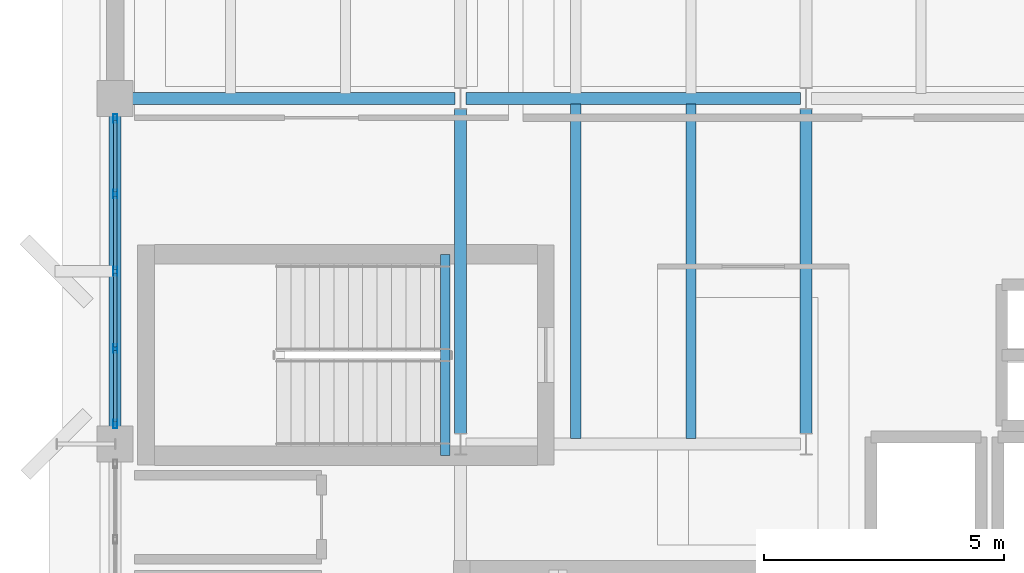
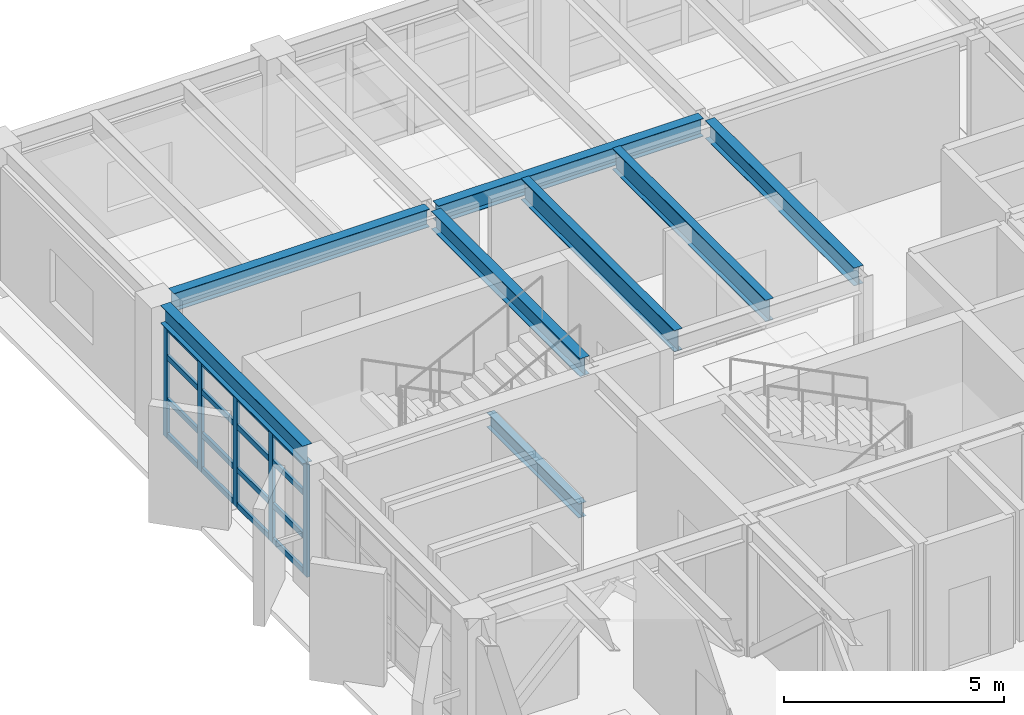
# One storey, part 8 of 24: 21 members, 8 beams, 1 element without a shape of its own.
"""IFC4 building model written with IfcOpenShell, lengths in metres."""

from ifc_helpers import new_model, si_unit, direction, frame, origin, origin_2d, place, context, subcontext, project, spatial, hollow_rectangle, i_section, extrude, material, layer, layer_set, material_profile, profile_set, type_object, element, aggregate, save


model = new_model("IFC4")

# Units and contexts
model_context = context("Model", 3, precision=1e-05, world=origin(), true_north=direction((0.0, 1.0)))
body_context = subcontext(model_context, "Body", "Model", "MODEL_VIEW")
ifc_project = project(units=[si_unit("LENGTHUNIT", "METRE"), si_unit("AREAUNIT", "SQUARE_METRE"), si_unit("VOLUMEUNIT", "CUBIC_METRE"), si_unit("PLANEANGLEUNIT", "RADIAN"), si_unit("MASSUNIT", "GRAM", prefix="KILO")], contexts=[model_context])

# Site, building, storey
site_placement = place(None, origin())
site = spatial("IfcSite", under=ifc_project, at=site_placement, CompositionType="ELEMENT")
building_placement = place(site_placement, origin())
building = spatial("IfcBuilding", under=site, at=building_placement, Name="Kandorven Conservatory and Botanical Research Centre", CompositionType="ELEMENT")
storey_placement = place(building_placement, frame((0.0, 0.0, 24.89990234375)))
storey = spatial("IfcBuildingStorey", under=building, at=storey_placement, Name="L06", CompositionType="ELEMENT", Elevation=24.89990234375)

# Beams
ifc_material_1 = material(Name="Steel S355 (IS 2062 E350)", Category="steel")
ifc_material_profile_1 = material_profile(ifc_material_1, i_section(OverallWidth=0.25, OverallDepth=0.5, WebThickness=0.010009765625, FlangeThickness=0.0146484375, at=origin_2d()))
ifc_profile_set_1 = profile_set([ifc_material_profile_1], Name="Steel S355 (IS 2062 E350)")
beam_type_1 = type_object("IfcBeamType", Name="Beam_FG-02", PredefinedType="USERDEFINED", material=ifc_profile_set_1)
beam_1_placement = place(storey_placement, frame((6.364990234375, 27.60009765625, 3.400146484375), z_axis=(1.0, 0.0, 0.0), x_axis=(0.0, 1.0, 0.0)))
element("IfcBeam", 1, at=beam_1_placement, inside=storey, type_object=beam_type_1, Name="Primary girder FG-02 TWR L06", ObjectType="GIRDER", PredefinedType="USERDEFINED", context=body_context, shape_type="SweptSolid", body=[
    extrude(i_section(OverallWidth=0.25, OverallDepth=0.5, WebThickness=0.010009765625, FlangeThickness=0.0146484375, at=origin_2d()), origin(), (0.0, 0.0, 1.0), 6.719970703125),
])
beam_2_placement = place(storey_placement, frame((13.31494140625, 27.60009765625, 3.400146484375), z_axis=(1.0, 0.0, 0.0), x_axis=(0.0, 1.0, 0.0)))
element("IfcBeam", 2, at=beam_2_placement, inside=storey, type_object=beam_type_1, Name="Primary girder FG-02 TWR L06", ObjectType="GIRDER", PredefinedType="USERDEFINED", context=body_context, shape_type="SweptSolid", body=[
    extrude(i_section(OverallWidth=0.25, OverallDepth=0.5, WebThickness=0.010009765625, FlangeThickness=0.0146484375, at=origin_2d()), origin(), (0.0, 0.0, 1.0), 6.969970703125),
])
beam_3_placement = place(storey_placement, frame((6.0, 20.764892578125, 3.400146484375), z_axis=(0.0, 1.0, 0.0), x_axis=(-1.0, 0.0, 0.0)))
element("IfcBeam", 3, at=beam_3_placement, inside=storey, type_object=beam_type_1, Name="Primary girder FG-02 TWR L06", ObjectType="GIRDER", PredefinedType="USERDEFINED", context=body_context, shape_type="SweptSolid", body=[
    extrude(i_section(OverallWidth=0.25, OverallDepth=0.5, WebThickness=0.010009765625, FlangeThickness=0.0146484375, at=origin_2d()), origin(), (0.0, 0.0, 1.0), 6.47021484375),
])
for number, where, z_axis, x_axis, name in (
    (4, (13.199951171875, 20.614990234375, 3.400146484375), (0.0, 1.0, 0.0), (-1.0, 0.0, 0.0), "Primary girder FG-02 TWR L06"),
    (5, (20.39990234375, 20.614990234375, 3.400146484375), (0.0, 1.0, 0.0), (-1.0, 0.0, 0.0), "Primary girder FG-02 TWR L06"),
):
    element("IfcBeam", number, at=place(storey_placement, frame(where, z_axis=z_axis, x_axis=x_axis)), inside=storey, type_object=beam_type_1, Name=name, ObjectType="GIRDER", PredefinedType="USERDEFINED", context=body_context, shape_type="SweptSolid", body=[
        extrude(i_section(OverallWidth=0.25, OverallDepth=0.5, WebThickness=0.010009765625, FlangeThickness=0.0146484375, at=origin_2d()), origin(), (0.0, 0.0, 1.0), 6.77001953125),
    ])
ifc_material_2 = material(Name="Steel S355 (IS 2062 E350)", Category="steel")
ifc_material_profile_2 = material_profile(ifc_material_2, i_section(OverallWidth=0.199951171875, OverallDepth=0.39990234375, WebThickness=0.008544921875, FlangeThickness=0.012939453125, at=origin_2d()))
ifc_profile_set_2 = profile_set([ifc_material_profile_2], Name="Steel S355 (IS 2062 E350)")
beam_type_2 = type_object("IfcBeamType", Name="Beam_FG-03", PredefinedType="USERDEFINED", material=ifc_profile_set_2)
beam_4_placement = place(storey_placement, frame((12.8798828125, 24.35009765625, -0.199951171875), z_axis=(0.0, -1.0, 0.0), x_axis=(1.0, 0.0, 0.0)))
element("IfcBeam", 6, at=beam_4_placement, inside=storey, type_object=beam_type_2, Name="Stair well bottom trimmer girder FG-03 ST-T2 L06", ObjectType="GIRDER", PredefinedType="USERDEFINED", context=body_context, shape_type="SweptSolid", body=[
    extrude(i_section(OverallWidth=0.199951171875, OverallDepth=0.39990234375, WebThickness=0.008544921875, FlangeThickness=0.012939453125, at=origin_2d()), origin(), (0.0, 0.0, 1.0), 4.190185546875),
])
ifc_material_3 = material(Name="Steel S355 (IS 2062 E350)", Category="steel")
ifc_material_profile_3 = material_profile(ifc_material_3, i_section(OverallWidth=0.2099609375, OverallDepth=0.60009765625, WebThickness=0.011962890625, FlangeThickness=0.020751953125, at=origin_2d()))
ifc_profile_set_3 = profile_set([ifc_material_profile_3], Name="Steel S355 (IS 2062 E350)")
beam_type_3 = type_object("IfcBeamType", Name="Beam_SB-01", PredefinedType="BEAM", material=ifc_profile_set_3)
for number, where, z_axis, x_axis, name in (
    (7, (15.60009765625, 20.510009765625, 3.35009765625), (0.0, 1.0, 0.0), (-1.0, 0.0, 0.0), "Composite secondary beam SB-01 TWR L06"),
    (8, (18.0, 20.510009765625, 3.35009765625), (0.0, 1.0, 0.0), (-1.0, 0.0, 0.0), "Composite secondary beam SB-01 TWR L06"),
):
    element("IfcBeam", number, at=place(storey_placement, frame(where, z_axis=z_axis, x_axis=x_axis)), inside=storey, type_object=beam_type_3, Name=name, PredefinedType="BEAM", context=body_context, shape_type="SweptSolid", body=[
        extrude(i_section(OverallWidth=0.2099609375, OverallDepth=0.60009765625, WebThickness=0.011962890625, FlangeThickness=0.020751953125, at=origin_2d()), origin(), (0.0, 0.0, 1.0), 6.97998046875),
    ])

# Curtain wall, members
ifc_material_4 = material(Name="Bronze anodised thermally broken aluminium", Category="aluminium")
ifc_layer = layer(ifc_material_4, 0.179931640625)
ifc_layer_set = layer_set([ifc_layer], Name="Bronze anodised thermally broken aluminium")
curtain_wall_type = type_object("IfcCurtainWallType", Name="CW_Unitised", PredefinedType="USERDEFINED", material=ifc_layer_set)
curtain_wall_placement = place(storey_placement, origin())
curtain_wall = element("IfcCurtainWall", 9, at=curtain_wall_placement, inside=storey, type_object=curtain_wall_type, Name="Tower laboratory curtain wall CW-TWR-W-L06-3", ObjectType="UNITISED GLAZING", PredefinedType="USERDEFINED")
ifc_material_5 = material(Name="Bronze anodised thermally broken aluminium", Category="aluminium")
ifc_material_profile_4 = material_profile(ifc_material_5, hollow_rectangle(XDim=0.080078125, YDim=0.179931640625, WallThickness=0.006103515625, at=origin_2d()))
ifc_profile_set_4 = profile_set([ifc_material_profile_4], Name="Bronze anodised thermally broken aluminium")
member_type_1 = type_object("IfcMemberType", Name="CW_Mullion", PredefinedType="MULLION", material=ifc_profile_set_4)
member_1_placement = place(storey_placement, frame((6.0, 20.81494140625, 0.0), z_axis=(0.0, 0.0, 1.0), x_axis=(-1.0, 0.0, 0.0)))
member_1 = element("IfcMember", 10, at=member_1_placement, type_object=member_type_1, Name="CW-01 mullion 1", PredefinedType="MULLION", context=body_context, shape_type="SweptSolid", body=[
    extrude(hollow_rectangle(XDim=0.080078125, YDim=0.179931640625, WallThickness=0.006103515625, at=origin_2d()), origin(), (0.0, 0.0, 1.0), 3.130126953125),
])
member_2_placement = place(storey_placement, frame((6.0, 22.387451171875, 0.0), z_axis=(0.0, 0.0, 1.0), x_axis=(-1.0, 0.0, 0.0)))
member_2 = element("IfcMember", 11, at=member_2_placement, type_object=member_type_1, Name="CW-01 mullion 2", PredefinedType="MULLION", context=body_context, shape_type="SweptSolid", body=[
    extrude(hollow_rectangle(XDim=0.080078125, YDim=0.179931640625, WallThickness=0.006103515625, at=origin_2d()), origin(), (0.0, 0.0, 1.0), 3.130126953125),
])
member_3_placement = place(storey_placement, frame((6.0, 24.0, 0.0), z_axis=(0.0, 0.0, 1.0), x_axis=(-1.0, 0.0, 0.0)))
member_3 = element("IfcMember", 12, at=member_3_placement, type_object=member_type_1, Name="CW-01 mullion 3", PredefinedType="MULLION", context=body_context, shape_type="SweptSolid", body=[
    extrude(hollow_rectangle(XDim=0.080078125, YDim=0.179931640625, WallThickness=0.006103515625, at=origin_2d()), origin(), (0.0, 0.0, 1.0), 3.130126953125),
])
member_4_placement = place(storey_placement, frame((6.0, 25.612548828125, 0.0), z_axis=(0.0, 0.0, 1.0), x_axis=(-1.0, 0.0, 0.0)))
member_4 = element("IfcMember", 13, at=member_4_placement, type_object=member_type_1, Name="CW-01 mullion 4", PredefinedType="MULLION", context=body_context, shape_type="SweptSolid", body=[
    extrude(hollow_rectangle(XDim=0.080078125, YDim=0.179931640625, WallThickness=0.006103515625, at=origin_2d()), origin(), (0.0, 0.0, 1.0), 3.130126953125),
])
member_5_placement = place(storey_placement, frame((6.0, 27.18505859375, 0.0), z_axis=(0.0, 0.0, 1.0), x_axis=(-1.0, 0.0, 0.0)))
member_5 = element("IfcMember", 14, at=member_5_placement, type_object=member_type_1, Name="CW-01 mullion 5", PredefinedType="MULLION", context=body_context, shape_type="SweptSolid", body=[
    extrude(hollow_rectangle(XDim=0.080078125, YDim=0.179931640625, WallThickness=0.006103515625, at=origin_2d()), origin(), (0.0, 0.0, 1.0), 3.130126953125),
])
ifc_material_6 = material(Name="Bronze anodised thermally broken aluminium", Category="aluminium")
ifc_material_profile_5 = material_profile(ifc_material_6, hollow_rectangle(XDim=0.074951171875, YDim=0.14990234375, WallThickness=0.006103515625, at=origin_2d()))
ifc_profile_set_5 = profile_set([ifc_material_profile_5], Name="Bronze anodised thermally broken aluminium")
member_type_2 = type_object("IfcMemberType", Name="CW_Transom", PredefinedType="USERDEFINED", material=ifc_profile_set_5)
member_6_placement = place(storey_placement, frame((6.0, 20.85498046875, 0.0751953125), z_axis=(0.0, 1.0, 0.0), x_axis=(-1.0, 0.0, 0.0)))
member_6 = element("IfcMember", 15, at=member_6_placement, type_object=member_type_2, Name="CW-01 transom 1.1", ObjectType="TRANSOM", PredefinedType="USERDEFINED", context=body_context, shape_type="SweptSolid", body=[
    extrude(hollow_rectangle(XDim=0.074951171875, YDim=0.14990234375, WallThickness=0.006103515625, at=origin_2d()), origin(), (0.0, 0.0, 1.0), 1.492431640625),
])
member_7_placement = place(storey_placement, frame((6.0, 20.85498046875, 1.050048828125), z_axis=(0.0, 1.0, 0.0), x_axis=(-1.0, 0.0, 0.0)))
member_7 = element("IfcMember", 16, at=member_7_placement, type_object=member_type_2, Name="CW-01 transom 1.2", ObjectType="TRANSOM", PredefinedType="USERDEFINED", context=body_context, shape_type="SweptSolid", body=[
    extrude(hollow_rectangle(XDim=0.074951171875, YDim=0.14990234375, WallThickness=0.006103515625, at=origin_2d()), origin(), (0.0, 0.0, 1.0), 1.492431640625),
])
member_8_placement = place(storey_placement, frame((6.0, 20.85498046875, 2.25), z_axis=(0.0, 1.0, 0.0), x_axis=(-1.0, 0.0, 0.0)))
member_8 = element("IfcMember", 17, at=member_8_placement, type_object=member_type_2, Name="CW-01 transom 1.3", ObjectType="TRANSOM", PredefinedType="USERDEFINED", context=body_context, shape_type="SweptSolid", body=[
    extrude(hollow_rectangle(XDim=0.074951171875, YDim=0.14990234375, WallThickness=0.006103515625, at=origin_2d()), origin(), (0.0, 0.0, 1.0), 1.492431640625),
])
member_9_placement = place(storey_placement, frame((6.0, 20.85498046875, 3.05517578125), z_axis=(0.0, 1.0, 0.0), x_axis=(-1.0, 0.0, 0.0)))
member_9 = element("IfcMember", 18, at=member_9_placement, type_object=member_type_2, Name="CW-01 transom 1.4", ObjectType="TRANSOM", PredefinedType="USERDEFINED", context=body_context, shape_type="SweptSolid", body=[
    extrude(hollow_rectangle(XDim=0.074951171875, YDim=0.14990234375, WallThickness=0.006103515625, at=origin_2d()), origin(), (0.0, 0.0, 1.0), 1.492431640625),
])
member_10_placement = place(storey_placement, frame((6.0, 22.427490234375, 0.0751953125), z_axis=(0.0, 1.0, 0.0), x_axis=(-1.0, 0.0, 0.0)))
member_10 = element("IfcMember", 19, at=member_10_placement, type_object=member_type_2, Name="CW-01 transom 2.1", ObjectType="TRANSOM", PredefinedType="USERDEFINED", context=body_context, shape_type="SweptSolid", body=[
    extrude(hollow_rectangle(XDim=0.074951171875, YDim=0.14990234375, WallThickness=0.006103515625, at=origin_2d()), origin(), (0.0, 0.0, 1.0), 1.532470703125),
])
member_11_placement = place(storey_placement, frame((6.0, 22.427490234375, 1.050048828125), z_axis=(0.0, 1.0, 0.0), x_axis=(-1.0, 0.0, 0.0)))
member_11 = element("IfcMember", 20, at=member_11_placement, type_object=member_type_2, Name="CW-01 transom 2.2", ObjectType="TRANSOM", PredefinedType="USERDEFINED", context=body_context, shape_type="SweptSolid", body=[
    extrude(hollow_rectangle(XDim=0.074951171875, YDim=0.14990234375, WallThickness=0.006103515625, at=origin_2d()), origin(), (0.0, 0.0, 1.0), 1.532470703125),
])
member_12_placement = place(storey_placement, frame((6.0, 22.427490234375, 2.25), z_axis=(0.0, 1.0, 0.0), x_axis=(-1.0, 0.0, 0.0)))
member_12 = element("IfcMember", 21, at=member_12_placement, type_object=member_type_2, Name="CW-01 transom 2.3", ObjectType="TRANSOM", PredefinedType="USERDEFINED", context=body_context, shape_type="SweptSolid", body=[
    extrude(hollow_rectangle(XDim=0.074951171875, YDim=0.14990234375, WallThickness=0.006103515625, at=origin_2d()), origin(), (0.0, 0.0, 1.0), 1.532470703125),
])
member_13_placement = place(storey_placement, frame((6.0, 22.427490234375, 3.05517578125), z_axis=(0.0, 1.0, 0.0), x_axis=(-1.0, 0.0, 0.0)))
member_13 = element("IfcMember", 22, at=member_13_placement, type_object=member_type_2, Name="CW-01 transom 2.4", ObjectType="TRANSOM", PredefinedType="USERDEFINED", context=body_context, shape_type="SweptSolid", body=[
    extrude(hollow_rectangle(XDim=0.074951171875, YDim=0.14990234375, WallThickness=0.006103515625, at=origin_2d()), origin(), (0.0, 0.0, 1.0), 1.532470703125),
])
member_14_placement = place(storey_placement, frame((6.0, 24.0400390625, 0.0751953125), z_axis=(0.0, 1.0, 0.0), x_axis=(-1.0, 0.0, 0.0)))
member_14 = element("IfcMember", 23, at=member_14_placement, type_object=member_type_2, Name="CW-01 transom 3.1", ObjectType="TRANSOM", PredefinedType="USERDEFINED", context=body_context, shape_type="SweptSolid", body=[
    extrude(hollow_rectangle(XDim=0.074951171875, YDim=0.14990234375, WallThickness=0.006103515625, at=origin_2d()), origin(), (0.0, 0.0, 1.0), 1.532470703125),
])
member_15_placement = place(storey_placement, frame((6.0, 24.0400390625, 1.050048828125), z_axis=(0.0, 1.0, 0.0), x_axis=(-1.0, 0.0, 0.0)))
member_15 = element("IfcMember", 24, at=member_15_placement, type_object=member_type_2, Name="CW-01 transom 3.2", ObjectType="TRANSOM", PredefinedType="USERDEFINED", context=body_context, shape_type="SweptSolid", body=[
    extrude(hollow_rectangle(XDim=0.074951171875, YDim=0.14990234375, WallThickness=0.006103515625, at=origin_2d()), origin(), (0.0, 0.0, 1.0), 1.532470703125),
])
member_16_placement = place(storey_placement, frame((6.0, 24.0400390625, 2.25), z_axis=(0.0, 1.0, 0.0), x_axis=(-1.0, 0.0, 0.0)))
member_16 = element("IfcMember", 25, at=member_16_placement, type_object=member_type_2, Name="CW-01 transom 3.3", ObjectType="TRANSOM", PredefinedType="USERDEFINED", context=body_context, shape_type="SweptSolid", body=[
    extrude(hollow_rectangle(XDim=0.074951171875, YDim=0.14990234375, WallThickness=0.006103515625, at=origin_2d()), origin(), (0.0, 0.0, 1.0), 1.532470703125),
])
member_17_placement = place(storey_placement, frame((6.0, 24.0400390625, 3.05517578125), z_axis=(0.0, 1.0, 0.0), x_axis=(-1.0, 0.0, 0.0)))
member_17 = element("IfcMember", 26, at=member_17_placement, type_object=member_type_2, Name="CW-01 transom 3.4", ObjectType="TRANSOM", PredefinedType="USERDEFINED", context=body_context, shape_type="SweptSolid", body=[
    extrude(hollow_rectangle(XDim=0.074951171875, YDim=0.14990234375, WallThickness=0.006103515625, at=origin_2d()), origin(), (0.0, 0.0, 1.0), 1.532470703125),
])
member_18_placement = place(storey_placement, frame((6.0, 25.652587890625, 0.0751953125), z_axis=(0.0, 1.0, 0.0), x_axis=(-1.0, 0.0, 0.0)))
member_18 = element("IfcMember", 27, at=member_18_placement, type_object=member_type_2, Name="CW-01 transom 4.1", ObjectType="TRANSOM", PredefinedType="USERDEFINED", context=body_context, shape_type="SweptSolid", body=[
    extrude(hollow_rectangle(XDim=0.074951171875, YDim=0.14990234375, WallThickness=0.006103515625, at=origin_2d()), origin(), (0.0, 0.0, 1.0), 1.492431640625),
])
member_19_placement = place(storey_placement, frame((6.0, 25.652587890625, 1.050048828125), z_axis=(0.0, 1.0, 0.0), x_axis=(-1.0, 0.0, 0.0)))
member_19 = element("IfcMember", 28, at=member_19_placement, type_object=member_type_2, Name="CW-01 transom 4.2", ObjectType="TRANSOM", PredefinedType="USERDEFINED", context=body_context, shape_type="SweptSolid", body=[
    extrude(hollow_rectangle(XDim=0.074951171875, YDim=0.14990234375, WallThickness=0.006103515625, at=origin_2d()), origin(), (0.0, 0.0, 1.0), 1.492431640625),
])
member_20_placement = place(storey_placement, frame((6.0, 25.652587890625, 2.25), z_axis=(0.0, 1.0, 0.0), x_axis=(-1.0, 0.0, 0.0)))
member_20 = element("IfcMember", 29, at=member_20_placement, type_object=member_type_2, Name="CW-01 transom 4.3", ObjectType="TRANSOM", PredefinedType="USERDEFINED", context=body_context, shape_type="SweptSolid", body=[
    extrude(hollow_rectangle(XDim=0.074951171875, YDim=0.14990234375, WallThickness=0.006103515625, at=origin_2d()), origin(), (0.0, 0.0, 1.0), 1.492431640625),
])
member_21_placement = place(storey_placement, frame((6.0, 25.652587890625, 3.05517578125), z_axis=(0.0, 1.0, 0.0), x_axis=(-1.0, 0.0, 0.0)))
member_21 = element("IfcMember", 30, at=member_21_placement, type_object=member_type_2, Name="CW-01 transom 4.4", ObjectType="TRANSOM", PredefinedType="USERDEFINED", context=body_context, shape_type="SweptSolid", body=[
    extrude(hollow_rectangle(XDim=0.074951171875, YDim=0.14990234375, WallThickness=0.006103515625, at=origin_2d()), origin(), (0.0, 0.0, 1.0), 1.492431640625),
])
aggregate(curtain_wall, [member_1, member_2, member_3, member_4, member_5, member_6, member_7, member_8, member_9, member_10, member_11, member_12, member_13, member_14, member_15, member_16, member_17, member_18, member_19, member_20, member_21])

save(model, "model.ifc")
